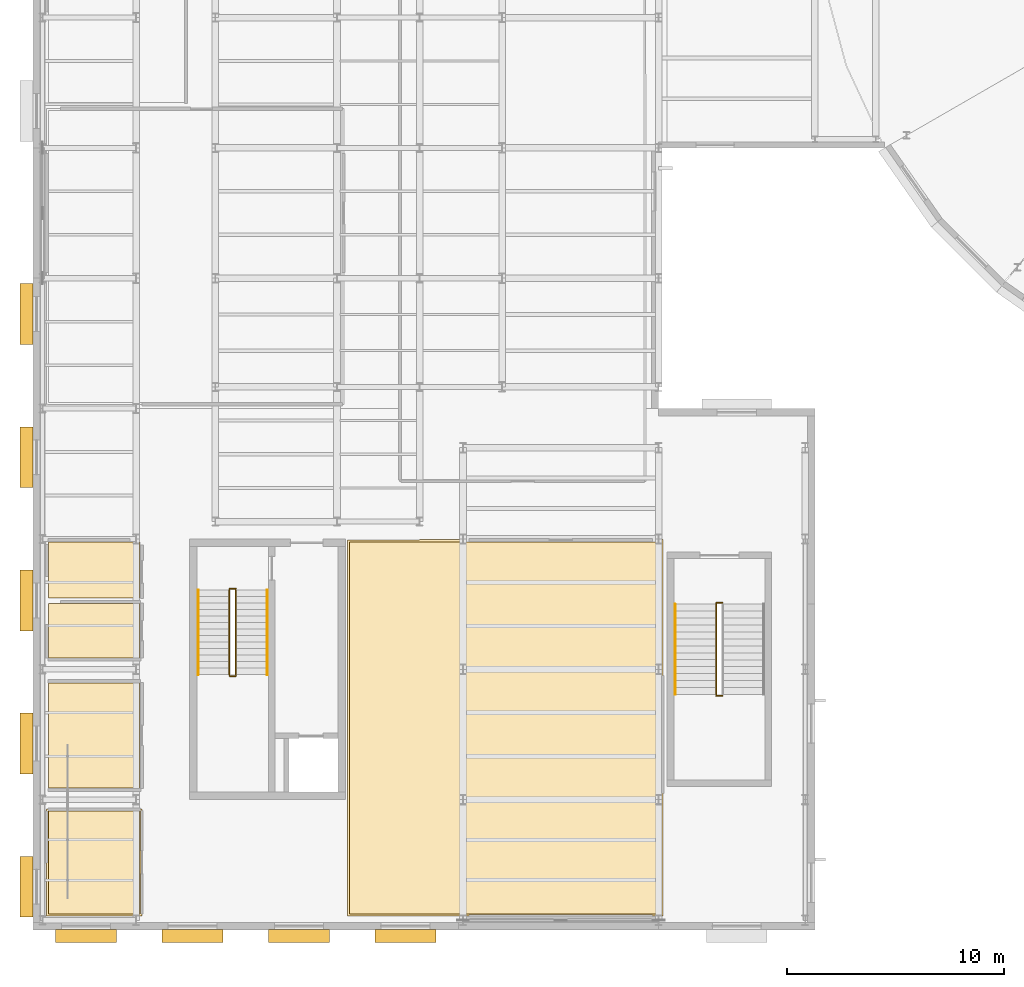
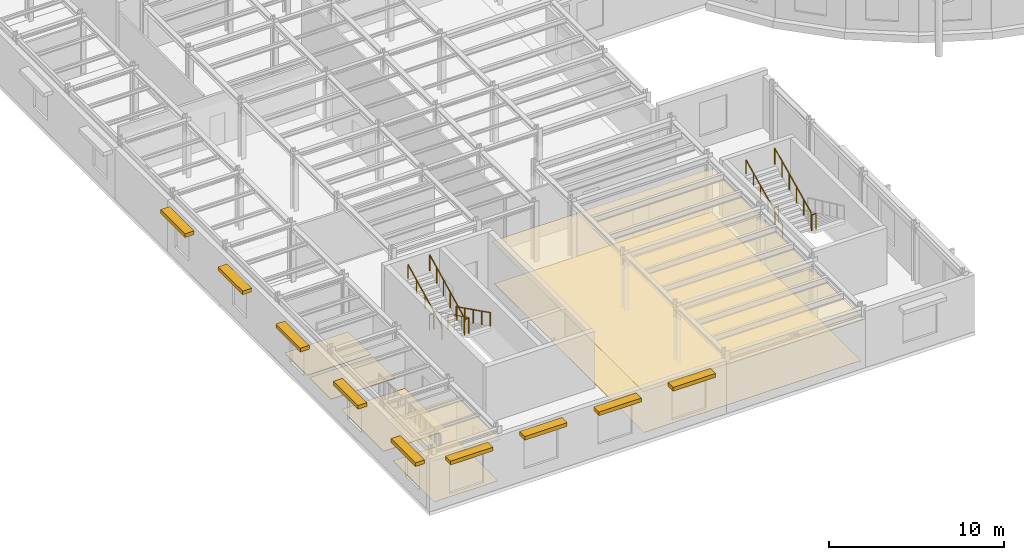
# One storey, part 69 of 75: 10 railings, 9 shading devices, 7 coverings, 2 elements without a shape of their own.
"""IFC4 building model written with IfcOpenShell, lengths in metres."""

from ifc_helpers import new_model, si_unit, direction, frame, origin, origin_2d, place, context, subcontext, project, spatial, polyline, rectangle, circle, outline, extrude, material, layer, layer_set, type_object, element, aggregate, save


model = new_model("IFC4")

# Units and contexts
model_context = context("Model", 3, precision=1e-05, world=origin(), true_north=direction((0.0, 1.0)))
body_context = subcontext(model_context, "Body", "Model", "MODEL_VIEW")
ifc_project = project(units=[si_unit("LENGTHUNIT", "METRE"), si_unit("AREAUNIT", "SQUARE_METRE"), si_unit("VOLUMEUNIT", "CUBIC_METRE"), si_unit("PLANEANGLEUNIT", "RADIAN"), si_unit("MASSUNIT", "GRAM", prefix="KILO")], contexts=[model_context])

# Site, building, storey
site_placement = place(None, origin())
site = spatial("IfcSite", under=ifc_project, at=site_placement, CompositionType="ELEMENT")
building_placement = place(site_placement, origin())
building = spatial("IfcBuilding", under=site, at=building_placement, Name="Kolvaren Corner Interchange", CompositionType="ELEMENT")
storey_placement = place(building_placement, frame((0.0, 0.0, 10.5)))
storey = spatial("IfcBuildingStorey", under=building, at=storey_placement, Name="L03", CompositionType="ELEMENT", Elevation=10.5)

# Coverings
ifc_material_1 = material(Name="Suspended Acoustic Mineral-Fibre Ceiling")
ifc_layer_1 = layer(ifc_material_1, 0.02197265625)
ifc_layer_set_1 = layer_set([ifc_layer_1], Name="Suspended Acoustic Mineral-Fibre Ceiling")
covering_type_1 = type_object("IfcCoveringType", Name="COV-CEIL-AC22", PredefinedType="CEILING", material=ifc_layer_set_1)
covering_1_placement = place(storey_placement, frame((0.0, 0.0, 2.927978515625)))
element("IfcCovering", 1, at=covering_1_placement, inside=storey, type_object=covering_type_1, Name="L03 Ticketing Revenue and Clearing Suite Suspended Ceiling", PredefinedType="CEILING", context=body_context, shape_type="SweptSolid", body=[
    extrude(outline(polyline([(14.47998046875, 0.64990234375), (29.015380859375, 0.63720703125), (29.0126953125, 17.965576171875), (14.484619140625, 17.962646484375), (14.47998046875, 0.64990234375)])), origin(), (0.0, 0.0, 1.0), 0.02197265625),
])
covering_2_placement = place(storey_placement, frame((0.0, 0.0, 2.927978515625)))
element("IfcCovering", 2, at=covering_2_placement, inside=storey, type_object=covering_type_1, Name="L03 Station Director Office Suspended Ceiling", PredefinedType="CEILING", context=body_context, shape_type="SweptSolid", body=[
    extrude(outline(polyline([(0.6298828125, 0.64990234375), (5.035400390625, 0.63720703125), (5.03271484375, 5.5654296875), (0.634521484375, 5.562744140625), (0.6298828125, 0.64990234375)])), origin(), (0.0, 0.0, 1.0), 0.02197265625),
])
ifc_material_2 = material(Name="Acoustic Tufted Modular Office Carpet Tile")
ifc_layer_2 = layer(ifc_material_2, 0.011962890625)
ifc_layer_set_2 = layer_set([ifc_layer_2], Name="Acoustic Tufted Modular Office Carpet Tile")
covering_type_2 = type_object("IfcCoveringType", Name="COV-FLR-CPT12", PredefinedType="FLOORING", material=ifc_layer_set_2)
covering_3_placement = place(storey_placement, origin())
element("IfcCovering", 3, at=covering_3_placement, inside=storey, type_object=covering_type_2, Name="L03 Ticketing Revenue and Clearing Suite Floor Finish", PredefinedType="FLOORING", context=body_context, shape_type="SweptSolid", body=[
    extrude(outline(polyline([(14.580078125, 0.72998046875), (28.919921875, 0.72998046875), (28.919921875, 17.8701171875), (14.580078125, 17.8701171875), (14.580078125, 0.72998046875)])), origin(), (0.0, 0.0, 1.0), 0.011962890625),
])
covering_4_placement = place(storey_placement, origin())
element("IfcCovering", 4, at=covering_4_placement, inside=storey, type_object=covering_type_2, Name="L03 Station Director Office Floor Finish", PredefinedType="FLOORING", context=body_context, shape_type="SweptSolid", body=[
    extrude(outline(polyline([(0.72998046875, 0.72998046875), (4.93994140625, 0.72998046875), (4.93994140625, 5.469970703125), (0.72998046875, 5.469970703125), (0.72998046875, 0.72998046875)])), origin(), (0.0, 0.0, 1.0), 0.011962890625),
])
ifc_material_3 = material(Name="Polished Niger Delta Granite Terrazzo Flooring", Category="masonry")
ifc_layer_3 = layer(ifc_material_3, 0.030029296875)
ifc_layer_set_3 = layer_set([ifc_layer_3], Name="Polished Niger Delta Granite Terrazzo Flooring")
covering_type_3 = type_object("IfcCoveringType", Name="COV-FLR-TER30", PredefinedType="FLOORING", material=ifc_layer_set_3)
covering_5_placement = place(storey_placement, origin())
element("IfcCovering", 5, at=covering_5_placement, inside=storey, type_object=covering_type_3, Name="L03 Male WC Floor Finish", PredefinedType="FLOORING", context=body_context, shape_type="SweptSolid", body=[
    extrude(outline(polyline([(0.72998046875, 6.530029296875), (4.93994140625, 6.530029296875), (4.93994140625, 11.3701171875), (0.72998046875, 11.3701171875), (0.72998046875, 6.530029296875)])), origin(), (0.0, 0.0, 1.0), 0.030029296875),
])
covering_6_placement = place(storey_placement, origin())
element("IfcCovering", 6, at=covering_6_placement, inside=storey, type_object=covering_type_3, Name="L03 Female WC Floor Finish", PredefinedType="FLOORING", context=body_context, shape_type="SweptSolid", body=[
    extrude(outline(polyline([(0.72998046875, 12.530029296875), (4.93994140625, 12.530029296875), (4.93994140625, 15.02001953125), (0.72998046875, 15.02001953125), (0.72998046875, 12.530029296875)])), origin(), (0.0, 0.0, 1.0), 0.030029296875),
])
covering_7_placement = place(storey_placement, origin())
element("IfcCovering", 7, at=covering_7_placement, inside=storey, type_object=covering_type_3, Name="L03 Accessible WC Floor Finish", PredefinedType="FLOORING", context=body_context, shape_type="SweptSolid", body=[
    extrude(outline(polyline([(0.72998046875, 15.280029296875), (4.93994140625, 15.280029296875), (4.93994140625, 17.8701171875), (0.72998046875, 17.8701171875), (0.72998046875, 15.280029296875)])), origin(), (0.0, 0.0, 1.0), 0.030029296875),
])

# Railing
ifc_material_4 = material(Name="Powder-Coated Steel Stairwell Guardrail", Category="steel")
railing_type_1 = type_object("IfcRailingType", Name="RLT-STAIR-GRD1120", PredefinedType="GUARDRAIL", material=ifc_material_4)
railing_1_placement = place(storey_placement, frame((9.340087890625, 15.7099609375, 0.0)))
element("IfcRailing", 8, at=railing_1_placement, inside=storey, type_object=railing_type_1, Name="Core C1 Southwest Firefighting Stair L03 Landing Edge Guardrail", PredefinedType="GUARDRAIL", context=body_context, shape_type="SweptSolid", body=[
    extrude(circle(Radius=0.02392578125, at=origin_2d()), frame((0.0, 0.0, 1.09619140625), z_axis=(-1.0, 0.0, 0.0), x_axis=(0.0, -1.0, 0.0)), (0.0, 0.0, 1.0), 0.280029296875),
    extrude(circle(Radius=0.02001953125, at=origin_2d()), origin(), (0.0, 0.0, 1.0), 1.072021484375),
    extrude(circle(Radius=0.02001953125, at=origin_2d()), frame((-0.280029296875, 0.0, 0.0)), (0.0, 0.0, 1.0), 1.072021484375),
])

# Stair, railings
ifc_material_5 = material(Name="Concrete C35/45", Category="concrete")
stair_type_1 = type_object("IfcStairType", Name="ST-FF-1550", PredefinedType="HALF_TURN_STAIR", material=ifc_material_5)
stair_1_placement = place(storey_placement, origin())
stair_1 = element("IfcStair", 9, at=stair_1_placement, inside=storey, type_object=stair_type_1, Name="Core C1 Southwest Firefighting Stair L03 to L04 Stair", PredefinedType="HALF_TURN_STAIR")
railing_2_placement = place(storey_placement, frame((9.35009765625, 15.64990234375, 0.14990234375)))
railing_2 = element("IfcRailing", 10, at=railing_2_placement, type_object=railing_type_1, Name="Core C1 Southwest Firefighting Stair L03 Lower Flight Well Guardrail", PredefinedType="GUARDRAIL", context=body_context, shape_type="SweptSolid", body=[
    extrude(circle(Radius=0.02392578125, at=origin_2d()), frame((0.0, 0.0, 1.09619140625), z_axis=(0.0, -0.894404793364, 0.447258387967), x_axis=(1.0, 0.0, 0.0)), (0.0, 0.0, 1.0), 4.3603515625),
    extrude(circle(Radius=0.02001953125, at=origin_2d()), origin(), (0.0, 0.0, 1.0), 1.072021484375),
    extrude(circle(Radius=0.02001953125, at=origin_2d()), frame((0.0, -0.780029296875, 0.39013671875)), (0.0, 0.0, 1.0), 1.072021484375),
    extrude(circle(Radius=0.02001953125, at=origin_2d()), frame((0.0, -1.56005859375, 0.780029296875)), (0.0, 0.0, 1.0), 1.072021484375),
    extrude(circle(Radius=0.02001953125, at=origin_2d()), frame((0.0, -2.33984375, 1.170166015625)), (0.0, 0.0, 1.0), 1.072021484375),
    extrude(circle(Radius=0.02001953125, at=origin_2d()), frame((0.0, -3.119873046875, 1.56005859375)), (0.0, 0.0, 1.0), 1.072021484375),
    extrude(circle(Radius=0.02001953125, at=origin_2d()), frame((0.0, -3.89990234375, 1.9501953125)), (0.0, 0.0, 1.0), 1.072021484375),
])
railing_3_placement = place(storey_placement, frame((9.340087890625, 11.68994140625, 2.10009765625)))
railing_3 = element("IfcRailing", 11, at=railing_3_placement, type_object=railing_type_1, Name="Core C1 Southwest Firefighting Stair L03 Half Landing Well Guardrail", PredefinedType="GUARDRAIL", context=body_context, shape_type="SweptSolid", body=[
    extrude(circle(Radius=0.02392578125, at=origin_2d()), frame((0.0, 0.0, 1.09619140625), z_axis=(-1.0, 0.0, 0.0), x_axis=(0.0, -1.0, 0.0)), (0.0, 0.0, 1.0), 0.280029296875),
    extrude(circle(Radius=0.02001953125, at=origin_2d()), origin(), (0.0, 0.0, 1.0), 1.072021484375),
    extrude(circle(Radius=0.02001953125, at=origin_2d()), frame((-0.280029296875, 0.0, 0.0)), (0.0, 0.0, 1.0), 1.072021484375),
])
railing_4_placement = place(storey_placement, frame((9.050048828125, 11.75, 2.25)))
railing_4 = element("IfcRailing", 12, at=railing_4_placement, type_object=railing_type_1, Name="Core C1 Southwest Firefighting Stair L03 Upper Flight Well Guardrail", PredefinedType="GUARDRAIL", context=body_context, shape_type="SweptSolid", body=[
    extrude(circle(Radius=0.02392578125, at=origin_2d()), frame((0.0, 0.0, 1.09619140625), z_axis=(0.0, 0.894427191, 0.4472135955), x_axis=(-1.0, 0.0, 0.0)), (0.0, 0.0, 1.0), 4.360107421875),
    extrude(circle(Radius=0.02001953125, at=origin_2d()), origin(), (0.0, 0.0, 1.0), 1.072021484375),
    extrude(circle(Radius=0.02001953125, at=origin_2d()), frame((0.0, 0.780029296875, 0.389892578125)), (0.0, 0.0, 1.0), 1.072021484375),
    extrude(circle(Radius=0.02001953125, at=origin_2d()), frame((0.0, 1.56005859375, 0.780029296875)), (0.0, 0.0, 1.0), 1.072021484375),
    extrude(circle(Radius=0.02001953125, at=origin_2d()), frame((0.0, 2.33984375, 1.169921875)), (0.0, 0.0, 1.0), 1.072021484375),
    extrude(circle(Radius=0.02001953125, at=origin_2d()), frame((0.0, 3.119873046875, 1.56005859375)), (0.0, 0.0, 1.0), 1.072021484375),
    extrude(circle(Radius=0.02001953125, at=origin_2d()), frame((0.0, 3.89990234375, 1.949951171875)), (0.0, 0.0, 1.0), 1.072021484375),
])

# Railing
railing_5_placement = place(storey_placement, frame((31.739990234375, 15.06005859375, 0.0)))
element("IfcRailing", 13, at=railing_5_placement, inside=storey, type_object=railing_type_1, Name="Operations South Bar Protected Exit Stair L03 Landing Edge Guardrail", PredefinedType="GUARDRAIL", context=body_context, shape_type="SweptSolid", body=[
    extrude(circle(Radius=0.02392578125, at=origin_2d()), frame((0.0, 0.0, 1.09619140625), z_axis=(-1.0, 0.0, 0.0), x_axis=(0.0, -1.0, 0.0)), (0.0, 0.0, 1.0), 0.280029296875),
    extrude(circle(Radius=0.02001953125, at=origin_2d()), origin(), (0.0, 0.0, 1.0), 1.072021484375),
    extrude(circle(Radius=0.02001953125, at=origin_2d()), frame((-0.280029296875, 0.0, 0.0)), (0.0, 0.0, 1.0), 1.072021484375),
])

# Stair, railings
ifc_material_6 = material(Name="Concrete C35/45", Category="concrete")
stair_type_2 = type_object("IfcStairType", Name="ST-GL-2000", PredefinedType="HALF_TURN_STAIR", material=ifc_material_6)
stair_2_placement = place(storey_placement, origin())
stair_2 = element("IfcStair", 14, at=stair_2_placement, inside=storey, type_object=stair_type_2, Name="Operations South Bar Protected Exit Stair L03 to L04 Stair", PredefinedType="HALF_TURN_STAIR")
railing_6_placement = place(storey_placement, frame((31.739990234375, 10.780029296875, 2.10009765625)))
railing_6 = element("IfcRailing", 15, at=railing_6_placement, type_object=railing_type_1, Name="Operations South Bar Protected Exit Stair L03 Half Landing Well Guardrail", PredefinedType="GUARDRAIL", context=body_context, shape_type="SweptSolid", body=[
    extrude(circle(Radius=0.02392578125, at=origin_2d()), frame((0.0, 0.0, 1.09619140625), z_axis=(-1.0, 0.0, 0.0), x_axis=(0.0, -1.0, 0.0)), (0.0, 0.0, 1.0), 0.280029296875),
    extrude(circle(Radius=0.02001953125, at=origin_2d()), origin(), (0.0, 0.0, 1.0), 1.072021484375),
    extrude(circle(Radius=0.02001953125, at=origin_2d()), frame((-0.280029296875, 0.0, 0.0)), (0.0, 0.0, 1.0), 1.072021484375),
])
railing_7_placement = place(storey_placement, frame((31.449951171875, 10.840087890625, 2.25)))
railing_7 = element("IfcRailing", 16, at=railing_7_placement, type_object=railing_type_1, Name="Operations South Bar Protected Exit Stair L03 Upper Flight Well Guardrail", PredefinedType="GUARDRAIL", context=body_context, shape_type="SweptSolid", body=[
    extrude(circle(Radius=0.02392578125, at=origin_2d()), frame((0.0, 0.0, 1.09619140625), z_axis=(0.0, 0.905459574153, 0.424432514746), x_axis=(-1.0, 0.0, 0.0)), (0.0, 0.0, 1.0), 4.59423828125),
    extrude(circle(Radius=0.02001953125, at=origin_2d()), origin(), (0.0, 0.0, 1.0), 1.072021484375),
    extrude(circle(Radius=0.02001953125, at=origin_2d()), frame((0.0, 0.83203125, 0.389892578125)), (0.0, 0.0, 1.0), 1.072021484375),
    extrude(circle(Radius=0.02001953125, at=origin_2d()), frame((0.0, 1.6640625, 0.780029296875)), (0.0, 0.0, 1.0), 1.072021484375),
    extrude(circle(Radius=0.02001953125, at=origin_2d()), frame((0.0, 2.495849609375, 1.169921875)), (0.0, 0.0, 1.0), 1.072021484375),
    extrude(circle(Radius=0.02001953125, at=origin_2d()), frame((0.0, 3.327880859375, 1.56005859375)), (0.0, 0.0, 1.0), 1.072021484375),
    extrude(circle(Radius=0.02001953125, at=origin_2d()), frame((0.0, 4.159912109375, 1.949951171875)), (0.0, 0.0, 1.0), 1.072021484375),
])

# Railing
ifc_material_7 = material(Name="Brushed Stainless Steel Stair Handrail", Category="steel")
railing_type_2 = type_object("IfcRailingType", Name="RLT-STAIR-HR950", PredefinedType="HANDRAIL", material=ifc_material_7)
railing_8_placement = place(storey_placement, frame((10.7900390625, 15.64990234375, 0.14990234375)))
railing_8 = element("IfcRailing", 17, at=railing_8_placement, type_object=railing_type_2, Name="Core C1 Southwest Firefighting Stair L03 Lower Flight Wall Handrail", PredefinedType="HANDRAIL", context=body_context, shape_type="SweptSolid", body=[
    extrude(circle(Radius=0.02197265625, at=origin_2d()), frame((0.0, 0.0, 0.927978515625), z_axis=(0.0, -0.894404793364, 0.447258387967), x_axis=(1.0, 0.0, 0.0)), (0.0, 0.0, 1.0), 4.3603515625),
    extrude(circle(Radius=0.01806640625, at=origin_2d()), origin(), (0.0, 0.0, 1.0), 0.906005859375),
    extrude(circle(Radius=0.01806640625, at=origin_2d()), frame((0.0, -0.97509765625, 0.487548828125)), (0.0, 0.0, 1.0), 0.906005859375),
    extrude(circle(Radius=0.01806640625, at=origin_2d()), frame((0.0, -1.949951171875, 0.97509765625)), (0.0, 0.0, 1.0), 0.906005859375),
    extrude(circle(Radius=0.01806640625, at=origin_2d()), frame((0.0, -2.9248046875, 1.462646484375)), (0.0, 0.0, 1.0), 0.906005859375),
    extrude(circle(Radius=0.01806640625, at=origin_2d()), frame((0.0, -3.89990234375, 1.9501953125)), (0.0, 0.0, 1.0), 0.906005859375),
])

railing_9_placement = place(storey_placement, frame((7.610107421875, 11.75, 2.25)))
railing_9 = element("IfcRailing", 18, at=railing_9_placement, type_object=railing_type_2, Name="Core C1 Southwest Firefighting Stair L03 Upper Flight Wall Handrail", PredefinedType="HANDRAIL", context=body_context, shape_type="SweptSolid", body=[
    extrude(circle(Radius=0.02197265625, at=origin_2d()), frame((0.0, 0.0, 0.927978515625), z_axis=(0.0, 0.894427191, 0.4472135955), x_axis=(-1.0, 0.0, 0.0)), (0.0, 0.0, 1.0), 4.360107421875),
    extrude(circle(Radius=0.01806640625, at=origin_2d()), origin(), (0.0, 0.0, 1.0), 0.906005859375),
    extrude(circle(Radius=0.01806640625, at=origin_2d()), frame((0.0, 0.97509765625, 0.487548828125)), (0.0, 0.0, 1.0), 0.906005859375),
    extrude(circle(Radius=0.01806640625, at=origin_2d()), frame((0.0, 1.949951171875, 0.97509765625)), (0.0, 0.0, 1.0), 0.906005859375),
    extrude(circle(Radius=0.01806640625, at=origin_2d()), frame((0.0, 2.9248046875, 1.46240234375)), (0.0, 0.0, 1.0), 0.906005859375),
    extrude(circle(Radius=0.01806640625, at=origin_2d()), frame((0.0, 3.89990234375, 1.949951171875)), (0.0, 0.0, 1.0), 0.906005859375),
])

aggregate(stair_1, [railing_2, railing_3, railing_4, railing_8, railing_9])

railing_10_placement = place(storey_placement, frame((29.56005859375, 10.840087890625, 2.25)))
railing_10 = element("IfcRailing", 19, at=railing_10_placement, type_object=railing_type_2, Name="Operations South Bar Protected Exit Stair L03 Upper Flight Wall Handrail", PredefinedType="HANDRAIL", context=body_context, shape_type="SweptSolid", body=[
    extrude(circle(Radius=0.02197265625, at=origin_2d()), frame((0.0, 0.0, 0.927978515625), z_axis=(0.0, 0.905459574153, 0.424432514746), x_axis=(-1.0, 0.0, 0.0)), (0.0, 0.0, 1.0), 4.59423828125),
    extrude(circle(Radius=0.01806640625, at=origin_2d()), origin(), (0.0, 0.0, 1.0), 0.906005859375),
    extrude(circle(Radius=0.01806640625, at=origin_2d()), frame((0.0, 0.83203125, 0.389892578125)), (0.0, 0.0, 1.0), 0.906005859375),
    extrude(circle(Radius=0.01806640625, at=origin_2d()), frame((0.0, 1.6640625, 0.780029296875)), (0.0, 0.0, 1.0), 0.906005859375),
    extrude(circle(Radius=0.01806640625, at=origin_2d()), frame((0.0, 2.495849609375, 1.169921875)), (0.0, 0.0, 1.0), 0.906005859375),
    extrude(circle(Radius=0.01806640625, at=origin_2d()), frame((0.0, 3.327880859375, 1.56005859375)), (0.0, 0.0, 1.0), 0.906005859375),
    extrude(circle(Radius=0.01806640625, at=origin_2d()), frame((0.0, 4.159912109375, 1.949951171875)), (0.0, 0.0, 1.0), 0.906005859375),
])

aggregate(stair_2, [railing_6, railing_7, railing_10])

# Shading devices
ifc_material_8 = material(Name="Cream Ceramic Baguette Brise-Soleil")
shading_device_type = type_object("IfcShadingDeviceType", Name="SHD-BAG-H600", PredefinedType="JALOUSIE", material=ifc_material_8)
for number, where, z_axis, x_axis, name in (
    (20, (2.449951171875, -0.280029296875, 3.27978515625), (0.0, 0.0, 1.0), (1.0, 0.0, 0.0), "L03 Ceramic Solar Shading 0057"),
    (21, (7.35009765625, -0.280029296875, 3.27978515625), (0.0, 0.0, 1.0), (1.0, 0.0, 0.0), "L03 Ceramic Solar Shading 0058"),
    (22, (12.25, -0.280029296875, 3.27978515625), (0.0, 0.0, 1.0), (1.0, 0.0, 0.0), "L03 Ceramic Solar Shading 0059"),
    (23, (17.14990234375, -0.280029296875, 3.27978515625), (0.0, 0.0, 1.0), (1.0, 0.0, 0.0), "L03 Ceramic Solar Shading 0060"),
    (24, (-0.2900390625, 28.3525390625, 3.02978515625), (0.0, 0.0, 1.0), (0.0, -1.0, 0.0), "L03 Ceramic Solar Shading 0081"),
    (25, (-0.2900390625, 21.762451171875, 3.02978515625), (0.0, 0.0, 1.0), (0.0, -1.0, 0.0), "L03 Ceramic Solar Shading 0082"),
    (26, (-0.2900390625, 15.172607421875, 3.02978515625), (0.0, 0.0, 1.0), (0.0, -1.0, 0.0), "L03 Ceramic Solar Shading 0083"),
    (27, (-0.2900390625, 8.58251953125, 3.02978515625), (0.0, 0.0, 1.0), (0.0, -1.0, 0.0), "L03 Ceramic Solar Shading 0084"),
    (28, (-0.2900390625, 1.992431640625, 3.02978515625), (0.0, 0.0, 1.0), (0.0, -1.0, 0.0), "L03 Ceramic Solar Shading 0085"),
):
    element("IfcShadingDevice", number, at=place(storey_placement, frame(where, z_axis=z_axis, x_axis=x_axis)), inside=storey, type_object=shading_device_type, Name=name, PredefinedType="JALOUSIE", context=body_context, shape_type="SweptSolid", body=[
        extrude(rectangle(XDim=2.800048828125, YDim=0.60009765625, at=origin_2d()), origin(), (0.0, 0.0, 1.0), 0.260009765625),
    ])

save(model, "model.ifc")
